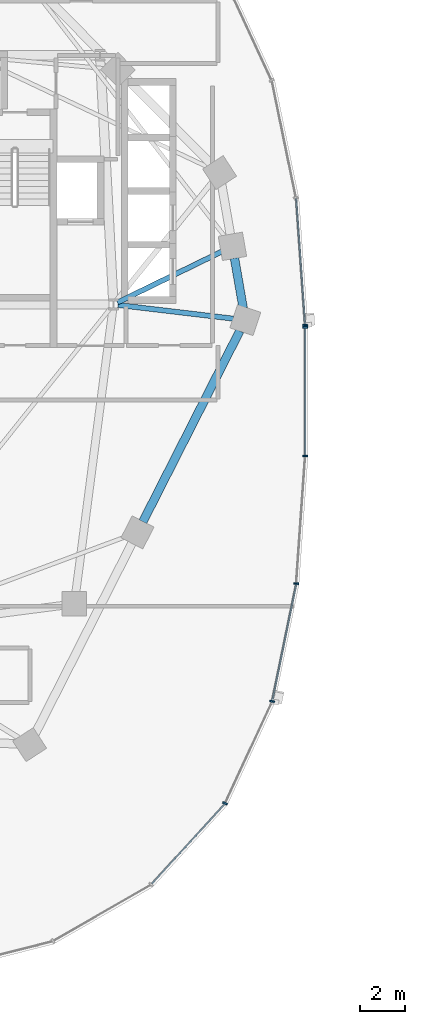
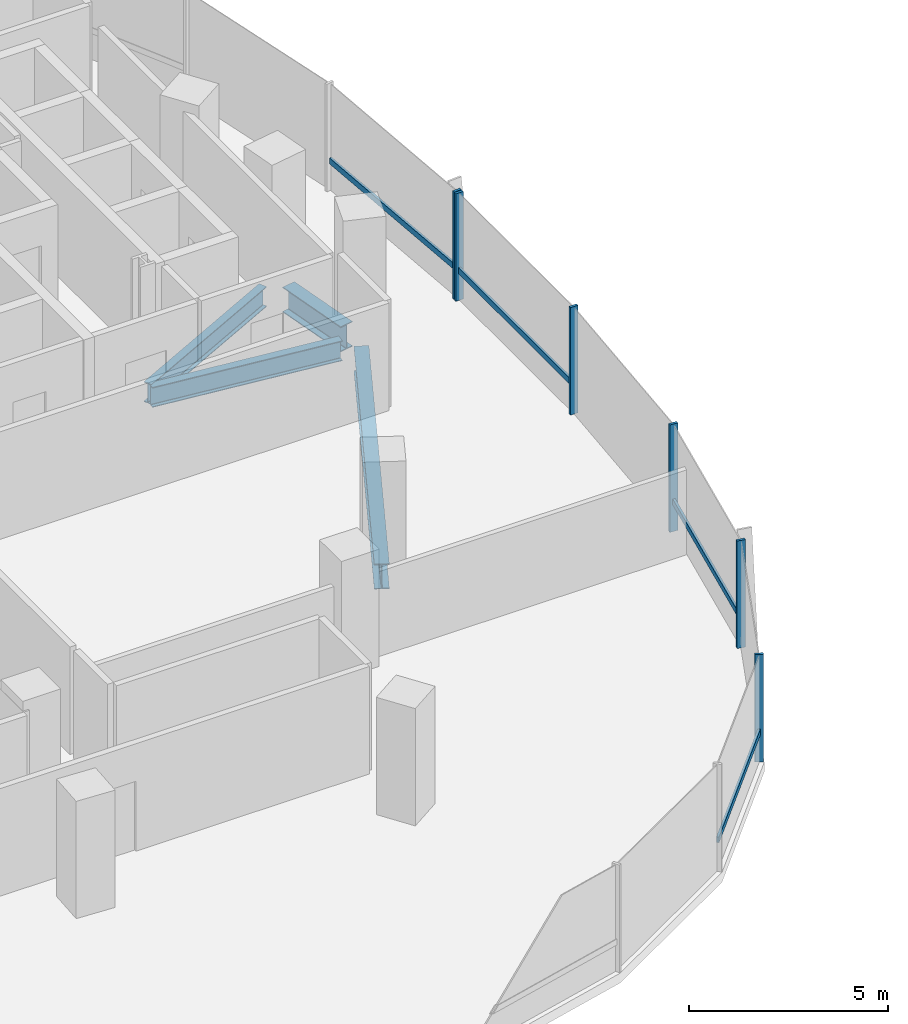
# One storey, part 3 of 21: 10 members, 4 beams, 2 elements without a shape of their own.
"""IFC4 building model written with IfcOpenShell, lengths in metres."""

from ifc_helpers import new_model, si_unit, direction, frame, origin, origin_2d, place, context, subcontext, project, spatial, rectangle, i_section, extrude, material, material_profile, profile_set, type_object, element, aggregate, save


model = new_model("IFC4")

# Units and contexts
model_context = context("Model", 3, precision=1e-05, world=origin(), true_north=direction((0.0, 1.0)))
body_context = subcontext(model_context, "Body", "Model", "MODEL_VIEW")
ifc_project = project(units=[si_unit("LENGTHUNIT", "METRE"), si_unit("AREAUNIT", "SQUARE_METRE"), si_unit("VOLUMEUNIT", "CUBIC_METRE"), si_unit("PLANEANGLEUNIT", "RADIAN"), si_unit("MASSUNIT", "GRAM", prefix="KILO"), si_unit("THERMODYNAMICTEMPERATUREUNIT", "KELVIN"), si_unit("POWERUNIT", "WATT")], contexts=[model_context])

# Site, building, storey
site_placement = place(None, origin())
site = spatial("IfcSite", under=ifc_project, at=site_placement, CompositionType="ELEMENT")
building_placement = place(site_placement, origin())
building = spatial("IfcBuilding", under=site, at=building_placement, Name="Cundina Bronze Exchange", CompositionType="ELEMENT")
storey_placement = place(building_placement, frame((0.0, 0.0, 107.0)))
storey = spatial("IfcBuildingStorey", under=building, at=storey_placement, Name="L27", CompositionType="ELEMENT", Elevation=107.0)

# Beams
ifc_material_1 = material(Name="Steel ASTM A992 Grade 50", Category="steel")
ifc_material_profile_1 = material_profile(ifc_material_1, i_section(OverallWidth=0.22998046875, OverallDepth=0.616943359375, WebThickness=0.01318359375, FlangeThickness=0.022216796875, FilletRadius=0.013916015625, at=origin_2d()), Name="W24X94", Category="steel")
ifc_profile_set_1 = profile_set([ifc_material_profile_1], Name="Steel ASTM A992 Grade 50")
beam_type_1 = type_object("IfcBeamType", Name="BM-FLR-W24B", PredefinedType="BEAM", material=ifc_profile_set_1)
beam_1_placement = place(storey_placement, frame((-21.247314453125, 3.8759765625, -0.6083984375), z_axis=(0.993035701683, -0.117813815752, 0.0), x_axis=(0.117813815752, 0.993035701683, 0.0)))
element("IfcBeam", 1, at=beam_1_placement, inside=storey, type_object=beam_type_1, Name="L27 Leg W Radial Floor Beam 00", PredefinedType="BEAM", context=body_context, shape_type="SweptSolid", body=[
    extrude(i_section(OverallWidth=0.22998046875, OverallDepth=0.616943359375, WebThickness=0.01318359375, FlangeThickness=0.022216796875, FilletRadius=0.013916015625, at=origin_2d()), origin(), (0.0, 0.0, 1.0), 5.19921875),
])
beam_2_placement = place(storey_placement, frame((-21.2666015625, 3.989501953125, -0.6083984375), z_axis=(0.898607246385, 0.438753936443, 0.0), x_axis=(-0.438753936443, 0.898607246385, 0.0)))
element("IfcBeam", 2, at=beam_2_placement, inside=storey, type_object=beam_type_1, Name="L27 Leg W Radial Floor Beam 01", PredefinedType="BEAM", context=body_context, shape_type="SweptSolid", body=[
    extrude(i_section(OverallWidth=0.22998046875, OverallDepth=0.616943359375, WebThickness=0.01318359375, FlangeThickness=0.022216796875, FilletRadius=0.013916015625, at=origin_2d()), origin(), (0.0, 0.0, 1.0), 5.183837890625),
])
ifc_material_profile_2 = material_profile(ifc_material_1, i_section(OverallWidth=0.381103515625, OverallDepth=0.77294921875, WebThickness=0.0166015625, FlangeThickness=0.027099609375, FilletRadius=0.01904296875, at=origin_2d()), Name="W30X173", Category="steel")
ifc_profile_set_2 = profile_set([ifc_material_profile_2], Name="Steel ASTM A992 Grade 50")
beam_type_2 = type_object("IfcBeamType", Name="BM-RING-W30", PredefinedType="USERDEFINED", material=ifc_profile_set_2)
beam_3_placement = place(storey_placement, frame((-15.642333984375, 3.72998046875, -0.6865234375), z_axis=(-0.171690078326, 0.985151012284, 0.0), x_axis=(-0.985151012284, -0.171690078326, 0.0)))
element("IfcBeam", 3, at=beam_3_placement, inside=storey, type_object=beam_type_2, Name="L27 W Perimeter Ring Girder 00", ObjectType="GIRDER", PredefinedType="USERDEFINED", context=body_context, shape_type="SweptSolid", body=[
    extrude(i_section(OverallWidth=0.381103515625, OverallDepth=0.77294921875, WebThickness=0.0166015625, FlangeThickness=0.027099609375, FilletRadius=0.01904296875, at=origin_2d()), origin(), (0.0, 0.0, 1.0), 2.273681640625),
])
beam_4_placement = place(storey_placement, frame((-20.13134765625, -5.8203125, -0.6865234375), z_axis=(0.452832332744, 0.891595692241, 0.0), x_axis=(-0.891595692241, 0.452832332744, 0.0)))
element("IfcBeam", 4, at=beam_4_placement, inside=storey, type_object=beam_type_2, Name="L27 W Perimeter Ring Girder 13", ObjectType="GIRDER", PredefinedType="USERDEFINED", context=body_context, shape_type="SweptSolid", body=[
    extrude(i_section(OverallWidth=0.381103515625, OverallDepth=0.77294921875, WebThickness=0.0166015625, FlangeThickness=0.027099609375, FilletRadius=0.01904296875, at=origin_2d()), origin(), (0.0, 0.0, 1.0), 9.578857421875),
])

# Curtain wall, member
ifc_material_2 = material(Name="Anodised Bronze Aluminium 6063-T6", Category="aluminium")
curtain_wall_type = type_object("IfcCurtainWallType", Name="CWS-TRD-MID", PredefinedType="NOTDEFINED", material=ifc_material_2)
curtain_wall_1_placement = place(storey_placement, origin())
curtain_wall_1 = element("IfcCurtainWall", 5, at=curtain_wall_1_placement, inside=storey, type_object=curtain_wall_type, Name="L27 CW-03 Curtain Wall Run CWR-L27-W1", PredefinedType="NOTDEFINED")
ifc_material_profile_3 = material_profile(ifc_material_2, rectangle(XDim=0.074951171875, YDim=0.219970703125, at=origin_2d()), Name="AL75X220", Category="aluminium")
ifc_profile_set_3 = profile_set([ifc_material_profile_3], Name="Anodised Bronze Aluminium 6063-T6")
member_type_1 = type_object("IfcMemberType", Name="CWM-MUL-220", PredefinedType="MULLION", material=ifc_profile_set_3)
member_1_placement = place(storey_placement, frame((-12.87548828125, 2.976318359375, 0.0), z_axis=(0.0, 0.0, 1.0), x_axis=(-0.070278787473, 0.997527389113, 0.0)))
member_1 = element("IfcMember", 6, at=member_1_placement, type_object=member_type_1, Name="CW-03 Mullion 1", PredefinedType="MULLION", context=body_context, shape_type="SweptSolid", body=[
    extrude(rectangle(XDim=0.074951171875, YDim=0.219970703125, at=origin_2d()), origin(), (0.0, 0.0, 1.0), 3.300048828125),
])

# Curtain wall, members
curtain_wall_2_placement = place(storey_placement, origin())
curtain_wall_2 = element("IfcCurtainWall", 7, at=curtain_wall_2_placement, inside=storey, type_object=curtain_wall_type, Name="L27 CW-03 Curtain Wall Run CWR-L27-W4", PredefinedType="NOTDEFINED")
member_2_placement = place(storey_placement, frame((-16.455810546875, -18.423583984375, 0.0), z_axis=(0.0, 0.0, 1.0), x_axis=(0.42087749791, 0.907117485088, 0.0)))
member_2 = element("IfcMember", 8, at=member_2_placement, type_object=member_type_1, Name="CW-03 Mullion 4", PredefinedType="MULLION", context=body_context, shape_type="SweptSolid", body=[
    extrude(rectangle(XDim=0.074951171875, YDim=0.219970703125, at=origin_2d()), origin(), (0.0, 0.0, 1.0), 3.300048828125),
])
member_3_placement = place(storey_placement, frame((-14.348876953125, -13.861328125, 0.0), z_axis=(0.0, 0.0, 1.0), x_axis=(0.201419845156, 0.979505000486, 0.0)))
member_3 = element("IfcMember", 9, at=member_3_placement, type_object=member_type_1, Name="CW-03 Mullion 5", PredefinedType="MULLION", context=body_context, shape_type="SweptSolid", body=[
    extrude(rectangle(XDim=0.074951171875, YDim=0.219970703125, at=origin_2d()), origin(), (0.0, 0.0, 1.0), 3.300048828125),
])
member_4_placement = place(storey_placement, frame((-13.27099609375, -8.591552734375, 0.0), z_axis=(0.0, 0.0, 1.0), x_axis=(0.070278787473, 0.997527389113, 0.0)))
member_4 = element("IfcMember", 10, at=member_4_placement, type_object=member_type_1, Name="CW-03 Mullion 6", PredefinedType="MULLION", context=body_context, shape_type="SweptSolid", body=[
    extrude(rectangle(XDim=0.074951171875, YDim=0.219970703125, at=origin_2d()), origin(), (0.0, 0.0, 1.0), 3.300048828125),
])
member_5_placement = place(storey_placement, frame((-12.8720703125, -2.880615234375, 0.0), z_axis=(0.0, 0.0, 1.0), x_axis=(0.0, 1.0, 0.0)))
member_5 = element("IfcMember", 11, at=member_5_placement, type_object=member_type_1, Name="CW-03 Mullion 7", PredefinedType="MULLION", context=body_context, shape_type="SweptSolid", body=[
    extrude(rectangle(XDim=0.074951171875, YDim=0.219970703125, at=origin_2d()), origin(), (0.0, 0.0, 1.0), 3.300048828125),
])
member_6_placement = place(storey_placement, frame((-12.8720703125, 2.880615234375, 0.0), z_axis=(0.0, 0.0, 1.0), x_axis=(0.0, 1.0, 0.0)))
member_6 = element("IfcMember", 12, at=member_6_placement, type_object=member_type_1, Name="CW-03 End Mullion", PredefinedType="MULLION", context=body_context, shape_type="SweptSolid", body=[
    extrude(rectangle(XDim=0.074951171875, YDim=0.219970703125, at=origin_2d()), origin(), (0.0, 0.0, 1.0), 3.300048828125),
])

# Member
ifc_material_profile_4 = material_profile(ifc_material_2, rectangle(XDim=0.070068359375, YDim=0.179931640625, at=origin_2d()), Name="AL70X180", Category="aluminium")
ifc_profile_set_4 = profile_set([ifc_material_profile_4], Name="Anodised Bronze Aluminium 6063-T6")
member_type_2 = type_object("IfcMemberType", Name="CWM-TRN-180", PredefinedType="USERDEFINED", material=ifc_profile_set_4)
member_7_placement = place(storey_placement, frame((-12.87841796875, 3.017333984375, 0.919921875), z_axis=(-0.070260714471, 0.997528662246, 0.0), x_axis=(-0.997528662246, -0.070260714471, 0.0)))
member_7 = element("IfcMember", 13, at=member_7_placement, type_object=member_type_2, Name="CW-03 Spandrel Transom 1", ObjectType="TRANSOM", PredefinedType="USERDEFINED", context=body_context, shape_type="SweptSolid", body=[
    extrude(rectangle(XDim=0.070068359375, YDim=0.179931640625, at=origin_2d()), origin(), (0.0, 0.0, 1.0), 5.629150390625),
])

aggregate(curtain_wall_1, [member_1, member_7])

member_8_placement = place(storey_placement, frame((-19.73291015625, -22.027099609375, 0.919921875), z_axis=(0.674302794847, 0.738454968743, 0.0), x_axis=(-0.738454968743, 0.674302794847, 0.0)))
member_8 = element("IfcMember", 14, at=member_8_placement, type_object=member_type_2, Name="CW-03 Spandrel Transom 3", ObjectType="TRANSOM", PredefinedType="USERDEFINED", context=body_context, shape_type="SweptSolid", body=[
    extrude(rectangle(XDim=0.070068359375, YDim=0.179931640625, at=origin_2d()), origin(), (0.0, 0.0, 1.0), 4.848388671875),
])

member_9_placement = place(storey_placement, frame((-14.340576171875, -13.821044921875, 0.919921875), z_axis=(0.201427712708, 0.979503382615, 0.0), x_axis=(-0.979503382615, 0.201427712708, 0.0)))
member_9 = element("IfcMember", 15, at=member_9_placement, type_object=member_type_2, Name="CW-03 Spandrel Transom 5", ObjectType="TRANSOM", PredefinedType="USERDEFINED", context=body_context, shape_type="SweptSolid", body=[
    extrude(rectangle(XDim=0.070068359375, YDim=0.179931640625, at=origin_2d()), origin(), (0.0, 0.0, 1.0), 5.291748046875),
])

member_10_placement = place(storey_placement, frame((-12.8720703125, -2.839111328125, 0.919921875), z_axis=(0.0, 1.0, 0.0), x_axis=(-1.0, 0.0, 0.0)))
member_10 = element("IfcMember", 16, at=member_10_placement, type_object=member_type_2, Name="CW-03 Spandrel Transom 7", ObjectType="TRANSOM", PredefinedType="USERDEFINED", context=body_context, shape_type="SweptSolid", body=[
    extrude(rectangle(XDim=0.070068359375, YDim=0.179931640625, at=origin_2d()), origin(), (0.0, 0.0, 1.0), 5.67822265625),
])

aggregate(curtain_wall_2, [member_8, member_2, member_3, member_9, member_4, member_5, member_6, member_10])

save(model, "model.ifc")
